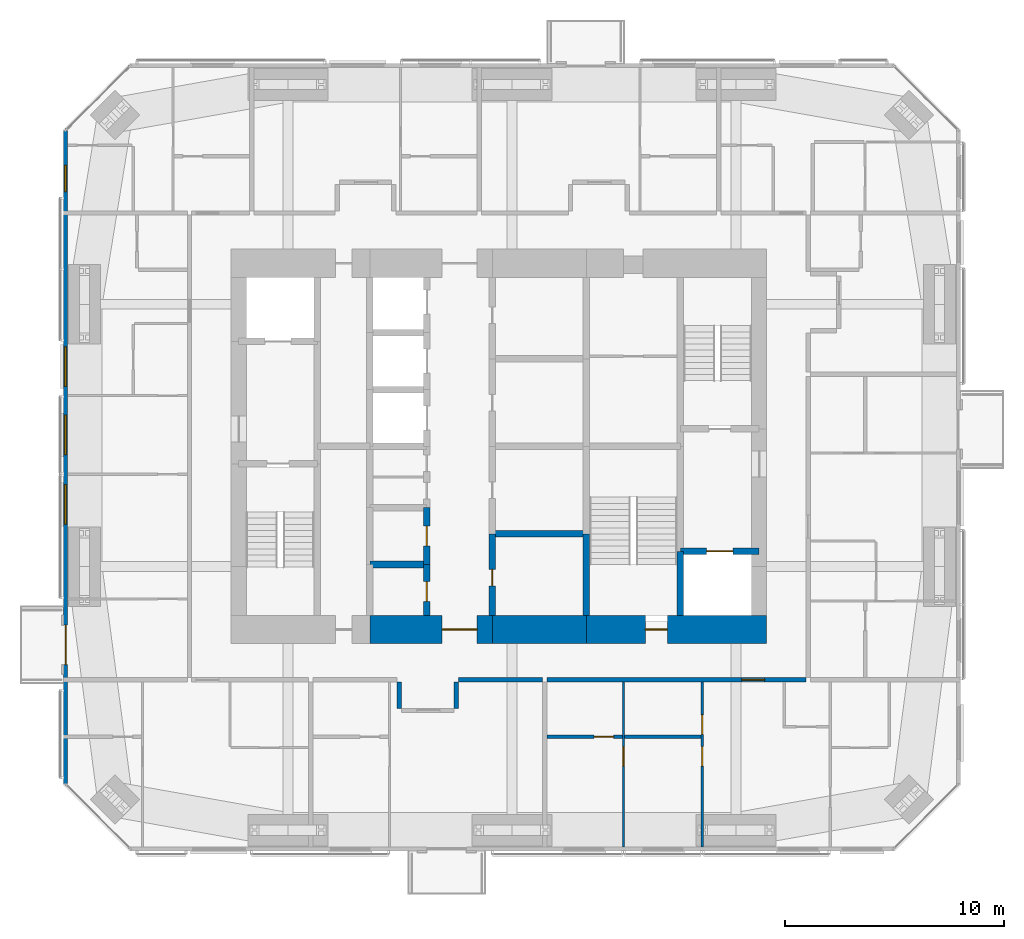
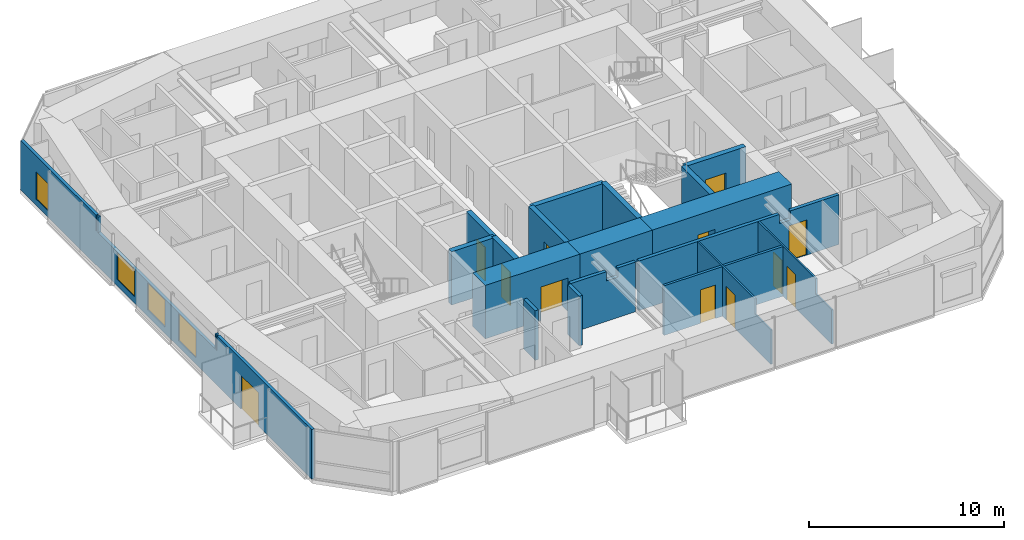
# One storey, part 17 of 23: 20 walls, 12 doors, 4 windows, 16 openings.
"""IFC4 building model written with IfcOpenShell, lengths in metres."""

from ifc_helpers import new_model, si_unit, direction, frame, frame_2d, origin, place, context, subcontext, project, spatial, polyline, rectangle, outline, extrude, material, layer, layer_set, constituent, constituent_set, type_object, element, fill, save


model = new_model("IFC4")

# Units and contexts
model_context = context("Model", 3, precision=1e-05, world=origin(), true_north=direction((0.0, 1.0)))
body_context = subcontext(model_context, "Body", "Model", "MODEL_VIEW")
ifc_project = project(units=[si_unit("LENGTHUNIT", "METRE"), si_unit("AREAUNIT", "SQUARE_METRE"), si_unit("VOLUMEUNIT", "CUBIC_METRE"), si_unit("PLANEANGLEUNIT", "RADIAN"), si_unit("MASSUNIT", "GRAM", prefix="KILO")], contexts=[model_context])

# Site, building, storey
site_placement = place(None, origin())
site = spatial("IfcSite", under=ifc_project, at=site_placement, CompositionType="ELEMENT")
building_placement = place(site_placement, origin())
building = spatial("IfcBuilding", under=site, at=building_placement, Name="Jalousie Tower", CompositionType="ELEMENT")
storey_placement = place(building_placement, frame((0.0, 0.0, 187.85009765625)))
storey = spatial("IfcBuildingStorey", under=building, at=storey_placement, Name="L51", CompositionType="ELEMENT", Elevation=187.85009765625)

# Wall, opening, door
ifc_material_1 = material(Name="Concrete block ASTM C90", Category="concrete")
ifc_constituent_1 = constituent(ifc_material_1, Name="Body")
ifc_material_2 = material(Name="Render")
ifc_constituent_2 = constituent(ifc_material_2, Name="Finish")
ifc_constituent_set_1 = constituent_set(constituents=[ifc_constituent_1, ifc_constituent_2])
wall_type_1 = type_object("IfcWallType", Name="BATHROOM WALL 150", PredefinedType="PLUMBINGWALL", material=ifc_constituent_set_1)
wall_1_placement = place(storey_placement, frame((34.10009765625, 5.22509765625, 0.0), z_axis=(0.0, 0.0, 1.0), x_axis=(1.0, 0.0, 0.0)))
wall_1 = element("IfcWall", 1, at=wall_1_placement, inside=storey, type_object=wall_type_1, Name="Bathroom Wall 150 L51", PredefinedType="PLUMBINGWALL", context=body_context, shape_type="SweptSolid", body=[
    extrude(rectangle(XDim=3.449951171875, YDim=0.14990234375, at=frame_2d((1.72509765625, 0.0))), origin(), (0.0, 0.0, 1.0), 3.10986328125),
])
opening_1_placement = place(wall_1_placement, frame((2.14990234375, 0.0, 0.0)))
opening_1 = element("IfcOpeningElement", 2, at=opening_1_placement, cuts=wall_1, Name="Opening D3", PredefinedType="OPENING", context=body_context, shape_type="SweptSolid", body=[
    extrude(rectangle(XDim=0.89990234375, YDim=2.10009765625, at=frame_2d((0.449951171875, 1.050048828125))), frame((0.0, 0.0849609375, 0.0), z_axis=(0.0, -1.0, 0.0), x_axis=(1.0, 0.0, 0.0)), (0.0, 0.0, 1.0), 0.169921875),
])
ifc_material_3 = material(Name="Timber door", Category="wood")
door_type_1 = type_object("IfcDoorType", Name="BATHROOM DOOR 900", OperationType="SINGLE_SWING_LEFT", PredefinedType="DOOR", material=ifc_material_3)
door_1_placement = place(opening_1_placement, origin())
door_1 = element("IfcDoor", 3, at=door_1_placement, inside=storey, type_object=door_type_1, Name="Apartment 5103 bedroom 1 bathroom door", OperationType="SINGLE_SWING_RIGHT", OverallHeight=2.10009765625, OverallWidth=0.89990234375, PredefinedType="DOOR", context=body_context, shape_type="SweptSolid", body=[
    extrude(rectangle(XDim=0.89990234375, YDim=2.10009765625, at=frame_2d((0.449951171875, 1.050048828125))), frame((0.0, 0.02490234375, 0.0), z_axis=(0.0, -1.0, 0.0), x_axis=(1.0, 0.0, 0.0)), (0.0, 0.0, 1.0), 0.050048828125),
])
fill(opening_1, door_1)

# Wall
wall_2_placement = place(storey_placement, frame((37.64990234375, 5.22509765625, 0.0), z_axis=(0.0, 0.0, 1.0), x_axis=(1.0, 0.0, 0.0)))
element("IfcWall", 4, at=wall_2_placement, inside=storey, type_object=wall_type_1, Name="Bathroom Wall 150 L51", PredefinedType="PLUMBINGWALL", context=body_context, shape_type="SweptSolid", body=[
    extrude(rectangle(XDim=3.5, YDim=0.14990234375, at=frame_2d((1.75, 0.0))), origin(), (0.0, 0.0, 1.0), 3.10986328125),
])

# Wall, opening, door
ifc_material_4 = material(Name="Concrete f'c 120 MPa", Category="concrete")
ifc_layer_1 = layer(ifc_material_4, 1.300048828125)
ifc_layer_set_1 = layer_set([ifc_layer_1], Name="Concrete f'c 120 MPa")
wall_type_2 = type_object("IfcWallType", Name="CORE WALL 1300", PredefinedType="SHEAR", material=ifc_layer_set_1)
wall_3_placement = place(storey_placement, frame((26.0, 10.125, 0.0), z_axis=(0.0, 0.0, 1.0), x_axis=(1.0, 0.0, 0.0)))
wall_3 = element("IfcWall", 5, at=wall_3_placement, inside=storey, type_object=wall_type_2, Name="Core wall SB L51", PredefinedType="SHEAR", context=body_context, shape_type="SweptSolid", body=[
    extrude(rectangle(XDim=5.60009765625, YDim=1.300048828125, at=frame_2d((2.800048828125, 0.0))), origin(), (0.0, 0.0, 1.0), 3.349853515625),
])
opening_2_placement = place(wall_3_placement, frame((3.300048828125, 0.0, 0.0)))
opening_2 = element("IfcOpeningElement", 6, at=opening_2_placement, cuts=wall_3, Name="Opening D15", PredefinedType="OPENING", context=body_context, shape_type="SweptSolid", body=[
    extrude(rectangle(XDim=1.60009765625, YDim=2.10009765625, at=frame_2d((0.800048828125, 1.050048828125))), frame((0.0, 0.659912109375, 0.0), z_axis=(0.0, -1.0, 0.0), x_axis=(1.0, 0.0, 0.0)), (0.0, 0.0, 1.0), 1.320068359375),
])
ifc_material_5 = material(Name="Steel fire door", Category="steel")
door_type_2 = type_object("IfcDoorType", Name="LIFT LOBBY DOOR 1600", OperationType="DOUBLE_DOOR_SINGLE_SWING", PredefinedType="DOOR", material=ifc_material_5)
door_2_placement = place(opening_2_placement, origin())
door_2 = element("IfcDoor", 7, at=door_2_placement, inside=storey, type_object=door_type_2, Name="Lift lobby south door", OperationType="DOUBLE_DOOR_SINGLE_SWING", OverallHeight=2.10009765625, OverallWidth=1.60009765625, PredefinedType="DOOR", context=body_context, shape_type="SweptSolid", body=[
    extrude(rectangle(XDim=1.60009765625, YDim=2.10009765625, at=frame_2d((0.800048828125, 1.050048828125))), frame((0.0, 0.02490234375, 0.0), z_axis=(0.0, -1.0, 0.0), x_axis=(1.0, 0.0, 0.0)), (0.0, 0.0, 1.0), 0.050048828125),
])
fill(opening_2, door_2)

# Wall
wall_4_placement = place(storey_placement, frame((31.60009765625, 10.125, 0.0), z_axis=(0.0, 0.0, 1.0), x_axis=(1.0, 0.0, 0.0)))
element("IfcWall", 8, at=wall_4_placement, inside=storey, type_object=wall_type_2, Name="Core wall SC L51", PredefinedType="SHEAR", context=body_context, shape_type="SweptSolid", body=[
    extrude(rectangle(XDim=4.2998046875, YDim=1.300048828125, at=frame_2d((2.14990234375, 0.0))), origin(), (0.0, 0.0, 1.0), 3.349853515625),
])

# Wall, opening, door
wall_5_placement = place(storey_placement, frame((35.89990234375, 10.125, 0.0), z_axis=(0.0, 0.0, 1.0), x_axis=(1.0, 0.0, 0.0)))
wall_5 = element("IfcWall", 9, at=wall_5_placement, inside=storey, type_object=wall_type_2, Name="Core wall SD L51", PredefinedType="SHEAR", context=body_context, shape_type="SweptSolid", body=[
    extrude(rectangle(XDim=8.25, YDim=1.300048828125, at=frame_2d((4.125, 0.0))), origin(), (0.0, 0.0, 1.0), 3.349853515625),
])
opening_3_placement = place(wall_5_placement, frame((2.699951171875, 0.0, 0.0)))
opening_3 = element("IfcOpeningElement", 10, at=opening_3_placement, cuts=wall_5, Name="Opening D10", PredefinedType="OPENING", context=body_context, shape_type="SweptSolid", body=[
    extrude(rectangle(XDim=1.0, YDim=2.10009765625, at=frame_2d((0.5, 1.050048828125))), frame((0.0, 0.659912109375, 0.0), z_axis=(0.0, -1.0, 0.0), x_axis=(1.0, 0.0, 0.0)), (0.0, 0.0, 1.0), 1.320068359375),
])
ifc_material_6 = material(Name="Steel fire door", Category="steel")
door_type_3 = type_object("IfcDoorType", Name="STAIR DOOR 1000", OperationType="SINGLE_SWING_LEFT", PredefinedType="DOOR", material=ifc_material_6)
door_3_placement = place(opening_3_placement, origin())
door_3 = element("IfcDoor", 11, at=door_3_placement, inside=storey, type_object=door_type_3, Name="Exit stair C door", OperationType="SINGLE_SWING_RIGHT", OverallHeight=2.10009765625, OverallWidth=1.0, PredefinedType="DOOR", context=body_context, shape_type="SweptSolid", body=[
    extrude(rectangle(XDim=1.0, YDim=2.10009765625, at=frame_2d((0.5, 1.050048828125))), frame((0.0, 0.02490234375, 0.0), z_axis=(0.0, -1.0, 0.0), x_axis=(1.0, 0.0, 0.0)), (0.0, 0.0, 1.0), 0.050048828125),
])
fill(opening_3, door_3)

ifc_material_7 = material(Name="Concrete f'c 120 MPa", Category="concrete")
ifc_layer_2 = layer(ifc_material_7, 0.300048828125)
ifc_layer_set_2 = layer_set([ifc_layer_2], Name="Concrete f'c 120 MPa")
wall_type_3 = type_object("IfcWallType", Name="CORE WALL 300", PredefinedType="SHEAR", material=ifc_layer_set_2)
wall_6_placement = place(storey_placement, frame((28.60009765625, 10.77490234375, 0.0), z_axis=(0.0, 0.0, 1.0), x_axis=(0.0, 1.0, 0.0)))
wall_6 = element("IfcWall", 12, at=wall_6_placement, inside=storey, type_object=wall_type_3, Name="Core wall X28.6A L51", PredefinedType="SHEAR", context=body_context, shape_type="SweptSolid", body=[
    extrude(rectangle(XDim=2.3251953125, YDim=0.300048828125, at=frame_2d((1.16259765625, 0.0))), origin(), (0.0, 0.0, 1.0), 3.349853515625),
])
opening_4_placement = place(wall_6_placement, frame((0.637451171875, 0.0, 0.0)))
opening_4 = element("IfcOpeningElement", 13, at=opening_4_placement, cuts=wall_6, Name="Opening D24", PredefinedType="OPENING", context=body_context, shape_type="SweptSolid", body=[
    extrude(rectangle(XDim=0.89990234375, YDim=2.10009765625, at=frame_2d((0.449951171875, 1.050048828125))), frame((0.0, 0.159912109375, 0.0), z_axis=(0.0, -1.0, 0.0), x_axis=(1.0, 0.0, 0.0)), (0.0, 0.0, 1.0), 0.320068359375),
])
ifc_material_8 = material(Name="Steel fire door", Category="steel")
door_type_4 = type_object("IfcDoorType", Name="CORE ROOM DOOR 900", OperationType="SINGLE_SWING_LEFT", PredefinedType="DOOR", material=ifc_material_8)
door_4_placement = place(opening_4_placement, origin())
door_4 = element("IfcDoor", 14, at=door_4_placement, inside=storey, type_object=door_type_4, Name="IT room door", OperationType="SINGLE_SWING_RIGHT", OverallHeight=2.10009765625, OverallWidth=0.89990234375, PredefinedType="DOOR", context=body_context, shape_type="SweptSolid", body=[
    extrude(rectangle(XDim=0.89990234375, YDim=2.10009765625, at=frame_2d((0.449951171875, 1.050048828125))), frame((0.0, 0.02490234375, 0.0), z_axis=(0.0, -1.0, 0.0), x_axis=(1.0, 0.0, 0.0)), (0.0, 0.0, 1.0), 0.050048828125),
])
fill(opening_4, door_4)

wall_7_placement = place(storey_placement, frame((28.60009765625, 13.10009765625, 0.0), z_axis=(0.0, 0.0, 1.0), x_axis=(0.0, 1.0, 0.0)))
wall_7 = element("IfcWall", 15, at=wall_7_placement, inside=storey, type_object=wall_type_3, Name="Core wall X28.6B L51", PredefinedType="SHEAR", context=body_context, shape_type="SweptSolid", body=[
    extrude(rectangle(XDim=2.599853515625, YDim=0.300048828125, at=frame_2d((1.2998046875, 0.0))), origin(), (0.0, 0.0, 1.0), 3.349853515625),
])
opening_5_placement = place(wall_7_placement, frame((0.85009765625, 0.0, 0.0)))
opening_5 = element("IfcOpeningElement", 16, at=opening_5_placement, cuts=wall_7, Name="Opening D24", PredefinedType="OPENING", context=body_context, shape_type="SweptSolid", body=[
    extrude(rectangle(XDim=0.89990234375, YDim=2.10009765625, at=frame_2d((0.449951171875, 1.050048828125))), frame((0.0, 0.159912109375, 0.0), z_axis=(0.0, -1.0, 0.0), x_axis=(1.0, 0.0, 0.0)), (0.0, 0.0, 1.0), 0.320068359375),
])
door_5_placement = place(opening_5_placement, origin())
door_5 = element("IfcDoor", 17, at=door_5_placement, inside=storey, type_object=door_type_4, Name="Linen store door", OperationType="SINGLE_SWING_RIGHT", OverallHeight=2.10009765625, OverallWidth=0.89990234375, PredefinedType="DOOR", context=body_context, shape_type="SweptSolid", body=[
    extrude(rectangle(XDim=0.89990234375, YDim=2.10009765625, at=frame_2d((0.449951171875, 1.050048828125))), frame((0.0, 0.02490234375, 0.0), z_axis=(0.0, -1.0, 0.0), x_axis=(1.0, 0.0, 0.0)), (0.0, 0.0, 1.0), 0.050048828125),
])
fill(opening_5, door_5)

wall_8_placement = place(storey_placement, frame((31.60009765625, 10.77490234375, 0.0), z_axis=(0.0, 0.0, 1.0), x_axis=(0.0, 1.0, 0.0)))
wall_8 = element("IfcWall", 18, at=wall_8_placement, inside=storey, type_object=wall_type_3, Name="Core wall X31.6A L51", PredefinedType="SHEAR", context=body_context, shape_type="SweptSolid", body=[
    extrude(rectangle(XDim=3.72509765625, YDim=0.300048828125, at=frame_2d((1.862548828125, 0.0))), origin(), (0.0, 0.0, 1.0), 3.349853515625),
])
opening_6_placement = place(wall_8_placement, frame((1.35009765625, 0.0, 0.0)))
opening_6 = element("IfcOpeningElement", 19, at=opening_6_placement, cuts=wall_8, Name="Opening D16", PredefinedType="OPENING", context=body_context, shape_type="SweptSolid", body=[
    extrude(rectangle(XDim=0.75, YDim=2.10009765625, at=frame_2d((0.375, 1.050048828125))), frame((0.0, 0.159912109375, 0.0), z_axis=(0.0, -1.0, 0.0), x_axis=(1.0, 0.0, 0.0)), (0.0, 0.0, 1.0), 0.320068359375),
])
ifc_material_9 = material(Name="Steel fire door", Category="steel")
door_type_5 = type_object("IfcDoorType", Name="RISER DOOR 750", OperationType="SINGLE_SWING_LEFT", PredefinedType="DOOR", material=ifc_material_9)
door_6_placement = place(opening_6_placement, frame((0.75, 0.0, 0.0), z_axis=(0.0, 0.0, 1.0), x_axis=(-1.0, 0.0, 0.0)))
door_6 = element("IfcDoor", 20, at=door_6_placement, inside=storey, type_object=door_type_5, Name="Refuse Room door", OperationType="SINGLE_SWING_RIGHT", OverallHeight=2.10009765625, OverallWidth=0.75, PredefinedType="DOOR", context=body_context, shape_type="SweptSolid", body=[
    extrude(rectangle(XDim=0.75, YDim=2.10009765625, at=frame_2d((0.375, 1.050048828125))), frame((0.0, 0.02490234375, 0.0), z_axis=(0.0, -1.0, 0.0), x_axis=(1.0, 0.0, 0.0)), (0.0, 0.0, 1.0), 0.050048828125),
])
fill(opening_6, door_6)

# Walls
wall_9_placement = place(storey_placement, frame((35.89990234375, 10.77490234375, 0.0), z_axis=(0.0, 0.0, 1.0), x_axis=(0.0, 1.0, 0.0)))
element("IfcWall", 21, at=wall_9_placement, inside=storey, type_object=wall_type_3, Name="Core wall X35.9A L51", PredefinedType="SHEAR", context=body_context, shape_type="SweptSolid", body=[
    extrude(rectangle(XDim=3.72509765625, YDim=0.300048828125, at=frame_2d((1.862548828125, 0.0))), origin(), (0.0, 0.0, 1.0), 3.349853515625),
])
wall_10_placement = place(storey_placement, frame((40.199951171875, 10.77490234375, 0.0), z_axis=(0.0, 0.0, 1.0), x_axis=(0.0, 1.0, 0.0)))
element("IfcWall", 22, at=wall_10_placement, inside=storey, type_object=wall_type_3, Name="Core wall X40.2A L51", PredefinedType="SHEAR", context=body_context, shape_type="SweptSolid", body=[
    extrude(rectangle(XDim=2.925048828125, YDim=0.300048828125, at=frame_2d((1.46240234375, 0.0))), origin(), (0.0, 0.0, 1.0), 3.349853515625),
])
wall_11_placement = place(storey_placement, frame((26.0, 13.10009765625, 0.0), z_axis=(0.0, 0.0, 1.0), x_axis=(1.0, 0.0, 0.0)))
element("IfcWall", 23, at=wall_11_placement, inside=storey, type_object=wall_type_3, Name="Core wall Y26-13.1 L51", PredefinedType="SHEAR", context=body_context, shape_type="SweptSolid", body=[
    extrude(rectangle(XDim=2.60009765625, YDim=0.300048828125, at=frame_2d((1.300048828125, 0.0))), origin(), (0.0, 0.0, 1.0), 3.349853515625),
])
wall_12_placement = place(storey_placement, frame((31.60009765625, 14.5, 0.0), z_axis=(0.0, 0.0, 1.0), x_axis=(1.0, 0.0, 0.0)))
element("IfcWall", 24, at=wall_12_placement, inside=storey, type_object=wall_type_3, Name="Core wall Y31.6-14.5 L51", PredefinedType="SHEAR", context=body_context, shape_type="SweptSolid", body=[
    extrude(rectangle(XDim=4.2998046875, YDim=0.300048828125, at=frame_2d((2.14990234375, 0.0))), origin(), (0.0, 0.0, 1.0), 3.349853515625),
])

# Wall, opening, door
wall_13_placement = place(storey_placement, frame((40.199951171875, 13.699951171875, 0.0), z_axis=(0.0, 0.0, 1.0), x_axis=(1.0, 0.0, 0.0)))
wall_13 = element("IfcWall", 25, at=wall_13_placement, inside=storey, type_object=wall_type_3, Name="Core wall Y40.2-13.7 L51", PredefinedType="SHEAR", context=body_context, shape_type="SweptSolid", body=[
    extrude(rectangle(XDim=3.60009765625, YDim=0.300048828125, at=frame_2d((1.800048828125, 0.0))), origin(), (0.0, 0.0, 1.0), 3.349853515625),
])
opening_7_placement = place(wall_13_placement, frame((1.199951171875, 0.0, 0.0)))
opening_7 = element("IfcOpeningElement", 26, at=opening_7_placement, cuts=wall_13, Name="Opening LD2", PredefinedType="OPENING", context=body_context, shape_type="SweptSolid", body=[
    extrude(rectangle(XDim=1.199951171875, YDim=2.10009765625, at=frame_2d((0.60009765625, 1.050048828125))), frame((0.0, 0.159912109375, 0.0), z_axis=(0.0, -1.0, 0.0), x_axis=(1.0, 0.0, 0.0)), (0.0, 0.0, 1.0), 0.320068359375),
])
ifc_material_10 = material(Name="Steel lift landing door", Category="steel")
door_type_6 = type_object("IfcDoorType", Name="LIFT LANDING DOOR 1200", OperationType="SLIDING_TO_LEFT", PredefinedType="DOOR", material=ifc_material_10)
door_7_placement = place(opening_7_placement, origin())
door_7 = element("IfcDoor", 27, at=door_7_placement, inside=storey, type_object=door_type_6, Name="Lift F2 landing door", OperationType="SLIDING_TO_LEFT", OverallHeight=2.10009765625, OverallWidth=1.199951171875, PredefinedType="DOOR", context=body_context, shape_type="SweptSolid", body=[
    extrude(rectangle(XDim=1.199951171875, YDim=2.10009765625, at=frame_2d((0.60009765625, 1.050048828125))), frame((0.0, 0.02490234375, 0.0), z_axis=(0.0, -1.0, 0.0), x_axis=(1.0, 0.0, 0.0)), (0.0, 0.0, 1.0), 0.050048828125),
])
fill(opening_7, door_7)

ifc_material_11 = material(Name="Concrete block ASTM C90", Category="concrete")
ifc_constituent_3 = constituent(ifc_material_11, Name="Body")
ifc_material_12 = material(Name="Render")
ifc_constituent_4 = constituent(ifc_material_12, Name="Finish")
ifc_constituent_set_2 = constituent_set(constituents=[ifc_constituent_3, ifc_constituent_4])
wall_type_4 = type_object("IfcWallType", Name="CORRIDOR WALL 200", PredefinedType="PARTITIONING", material=ifc_constituent_set_2)
wall_14_placement = place(storey_placement, frame((34.10009765625, 7.824951171875, 0.0), z_axis=(0.0, 0.0, 1.0), x_axis=(1.0, 0.0, 0.0)))
wall_14 = element("IfcWall", 28, at=wall_14_placement, inside=storey, type_object=wall_type_4, Name="Corridor Wall 200 L51", PredefinedType="PARTITIONING", context=body_context, shape_type="SweptSolid", body=[
    extrude(outline(polyline([(0.0, 0.0), (11.849853515625, 0.0), (11.85009765625, 3.10986328125), (8.9873046875, 3.10986328125), (8.9873046875, 2.541015625), (8.3125, 2.541015625), (8.3125, 3.10986328125), (0.0, 3.10986328125), (0.0, 0.0)])), frame((0.0, 0.10009765625, 0.0), z_axis=(0.0, -1.0, 0.0), x_axis=(1.0, 0.0, 0.0)), (0.0, 0.0, 1.0), 0.199951171875),
])
opening_8_placement = place(wall_14_placement, frame((8.89990234375, 0.0, 0.0)))
opening_8 = element("IfcOpeningElement", 29, at=opening_8_placement, cuts=wall_14, Name="Opening D1", PredefinedType="OPENING", context=body_context, shape_type="SweptSolid", body=[
    extrude(rectangle(XDim=1.050048828125, YDim=2.199951171875, at=frame_2d((0.52490234375, 1.10009765625))), frame((0.0, 0.10986328125, 0.0), z_axis=(0.0, -1.0, 0.0), x_axis=(1.0, 0.0, 0.0)), (0.0, 0.0, 1.0), 0.219970703125),
])
ifc_material_13 = material(Name="Timber fire door", Category="wood")
door_type_7 = type_object("IfcDoorType", Name="APARTMENT ENTRANCE DOOR 1050", OperationType="SINGLE_SWING_LEFT", PredefinedType="DOOR", material=ifc_material_13)
door_8_placement = place(opening_8_placement, frame((1.050048828125, 0.0, 0.0), z_axis=(0.0, 0.0, 1.0), x_axis=(-1.0, 0.0, 0.0)))
door_8 = element("IfcDoor", 30, at=door_8_placement, inside=storey, type_object=door_type_7, Name="Apartment 5103 entrance", OperationType="SINGLE_SWING_LEFT", OverallHeight=2.199951171875, OverallWidth=1.050048828125, PredefinedType="DOOR", context=body_context, shape_type="SweptSolid", body=[
    extrude(rectangle(XDim=1.050048828125, YDim=2.199951171875, at=frame_2d((0.52490234375, 1.10009765625))), frame((0.0, 0.02490234375, 0.0), z_axis=(0.0, -1.0, 0.0), x_axis=(1.0, 0.0, 0.0)), (0.0, 0.0, 1.0), 0.050048828125),
])
fill(opening_8, door_8)

# Walls
wall_15_placement = place(storey_placement, frame((30.050048828125, 7.824951171875, 0.0), z_axis=(0.0, 0.0, 1.0), x_axis=(1.0, 0.0, 0.0)))
element("IfcWall", 31, at=wall_15_placement, inside=storey, type_object=wall_type_4, Name="Corridor Wall 200 L51", PredefinedType="PARTITIONING", context=body_context, shape_type="SweptSolid", body=[
    extrude(outline(polyline([(0.0, 0.0), (3.849853515625, 0.0), (3.85009765625, 3.10986328125), (2.787353515625, 3.10986328125), (2.787353515625, 2.541015625), (2.112548828125, 2.541015625), (2.112548828125, 3.10986328125), (0.0, 3.10986328125), (0.0, 0.0)])), frame((0.0, 0.10009765625, 0.0), z_axis=(0.0, -1.0, 0.0), x_axis=(1.0, 0.0, 0.0)), (0.0, 0.0, 1.0), 0.199951171875),
])
for number, where, z_axis, x_axis, name in (
    (32, (27.35009765625, 7.72509765625, 0.0), (0.0, 0.0, 1.0), (0.0, -1.0, 0.0), "Corridor Wall 200 L51"),
    (33, (29.949951171875, 7.72509765625, 0.0), (0.0, 0.0, 1.0), (0.0, -1.0, 0.0), "Corridor Wall 200 L51"),
):
    element("IfcWall", number, at=place(storey_placement, frame(where, z_axis=z_axis, x_axis=x_axis)), inside=storey, type_object=wall_type_4, Name=name, PredefinedType="PARTITIONING", context=body_context, shape_type="SweptSolid", body=[
        extrude(rectangle(XDim=1.2001953125, YDim=0.199951171875, at=frame_2d((0.60009765625, 0.0))), origin(), (0.0, 0.0, 1.0), 3.10986328125),
    ])

# Wall, openings, door, windows
ifc_material_14 = material(Name="Concrete f'c 40 MPa", Category="concrete")
ifc_constituent_5 = constituent(ifc_material_14, Name="Body")
ifc_material_15 = material(Name="Render, pastel lemon")
ifc_constituent_6 = constituent(ifc_material_15, Name="Finish")
ifc_constituent_set_3 = constituent_set(constituents=[ifc_constituent_5, ifc_constituent_6])
wall_type_5 = type_object("IfcWallType", Name="EXTERNAL WALL 175 LEMON RENDER", PredefinedType="SOLIDWALL", material=ifc_constituent_set_3)
wall_16_placement = place(storey_placement, frame((12.08740234375, 32.94873046875, 0.0), z_axis=(0.0, 0.0, 1.0), x_axis=(0.0, -1.0, 0.0)))
wall_16 = element("IfcWall", 34, at=wall_16_placement, inside=storey, type_object=wall_type_5, Name="External Wall 175 Lemon Render L51", PredefinedType="SOLIDWALL", context=body_context, shape_type="SweptSolid", body=[
    extrude(outline(polyline([(0.0, 0.0), (29.8974609375, 0.0), (29.8974609375, 3.10986328125), (20.19140625, 3.10986328125), (20.19140625, 2.14990234375), (20.050537109375, 2.14990234375), (20.050537109375, 3.10986328125), (19.94873046875, 3.10986328125), (19.94873046875, 2.14990234375), (7.94873046875, 2.14990234375), (7.94873046875, 3.10986328125), (7.823486328125, 3.10986328125), (7.823486328125, 2.14990234375), (7.729736328125, 2.14990234375), (7.729736328125, 3.10986328125), (0.0, 3.10986328125), (0.0, 0.0)])), frame((0.0, 0.08740234375, 0.0), z_axis=(0.0, -1.0, 0.0), x_axis=(1.0, 0.0, 0.0)), (0.0, 0.0, 1.0), 0.175048828125),
])
opening_9_placement = place(wall_16_placement, frame((1.5986328125, 0.0, 0.39990234375)))
opening_9 = element("IfcOpeningElement", 35, at=opening_9_placement, cuts=wall_16, Name="Opening W-COR170", PredefinedType="OPENING", context=body_context, shape_type="SweptSolid", body=[
    extrude(rectangle(XDim=1.199951171875, YDim=1.699951171875, at=frame_2d((0.60009765625, 0.85009765625))), frame((0.0, 0.097412109375, 0.0), z_axis=(0.0, -1.0, 0.0), x_axis=(1.0, 0.0, 0.0)), (0.0, 0.0, 1.0), 0.195068359375),
])
opening_10_placement = place(wall_16_placement, frame((9.898681640625, 0.0, 0.39990234375)))
opening_10 = element("IfcOpeningElement", 36, at=opening_10_placement, cuts=wall_16, Name="Opening W-BED170", PredefinedType="OPENING", context=body_context, shape_type="SweptSolid", body=[
    extrude(rectangle(XDim=1.800048828125, YDim=1.699951171875, at=frame_2d((0.89990234375, 0.85009765625))), frame((0.0, 0.097412109375, 0.0), z_axis=(0.0, -1.0, 0.0), x_axis=(1.0, 0.0, 0.0)), (0.0, 0.0, 1.0), 0.195068359375),
])
opening_11_placement = place(wall_16_placement, frame((13.023681640625, 0.0, 0.39990234375)))
opening_11 = element("IfcOpeningElement", 37, at=opening_11_placement, cuts=wall_16, Name="Opening W-BED170", PredefinedType="OPENING", context=body_context, shape_type="SweptSolid", body=[
    extrude(rectangle(XDim=1.800048828125, YDim=1.699951171875, at=frame_2d((0.89990234375, 0.85009765625))), frame((0.0, 0.097412109375, 0.0), z_axis=(0.0, -1.0, 0.0), x_axis=(1.0, 0.0, 0.0)), (0.0, 0.0, 1.0), 0.195068359375),
])
opening_12_placement = place(wall_16_placement, frame((16.201171875, 0.0, 0.39990234375)))
opening_12 = element("IfcOpeningElement", 38, at=opening_12_placement, cuts=wall_16, Name="Opening W-BED170", PredefinedType="OPENING", context=body_context, shape_type="SweptSolid", body=[
    extrude(rectangle(XDim=1.800048828125, YDim=1.699951171875, at=frame_2d((0.89990234375, 0.85009765625))), frame((0.0, 0.097412109375, 0.0), z_axis=(0.0, -1.0, 0.0), x_axis=(1.0, 0.0, 0.0)), (0.0, 0.0, 1.0), 0.195068359375),
])
opening_13_placement = place(wall_16_placement, frame((22.623779296875, 0.0, 0.0)))
opening_13 = element("IfcOpeningElement", 39, at=opening_13_placement, cuts=wall_16, Name="Opening D-BAL21", PredefinedType="OPENING", context=body_context, shape_type="SweptSolid", body=[
    extrude(rectangle(XDim=1.800048828125, YDim=2.10009765625, at=frame_2d((0.89990234375, 1.050048828125))), frame((0.0, 0.097412109375, 0.0), z_axis=(0.0, -1.0, 0.0), x_axis=(1.0, 0.0, 0.0)), (0.0, 0.0, 1.0), 0.195068359375),
])
ifc_material_16 = material(Name="Aluminium frame, impact-rated glazing", Category="aluminium")
door_type_8 = type_object("IfcDoorType", Name="BALCONY DOOR 1800x2100", OperationType="SLIDING_TO_LEFT", PredefinedType="DOOR", material=ifc_material_16)
door_9_placement = place(opening_13_placement, origin())
door_9 = element("IfcDoor", 40, at=door_9_placement, inside=storey, type_object=door_type_8, Name="Apartment 5108 bedroom 1 balcony door", OperationType="SLIDING_TO_LEFT", OverallHeight=2.10009765625, OverallWidth=1.800048828125, PredefinedType="DOOR", context=body_context, shape_type="SweptSolid", body=[
    extrude(rectangle(XDim=1.800048828125, YDim=2.10009765625, at=frame_2d((0.89990234375, 1.050048828125))), frame((0.0, 0.02490234375, 0.0), z_axis=(0.0, -1.0, 0.0), x_axis=(1.0, 0.0, 0.0)), (0.0, 0.0, 1.0), 0.050048828125),
])
fill(opening_13, door_9)
ifc_material_17 = material(Name="Aluminium frame, impact-rated glazing", Category="aluminium")
window_type_1 = type_object("IfcWindowType", Name="WINDOW BED 1800x1700", PartitioningType="SINGLE_PANEL", PredefinedType="WINDOW", material=ifc_material_17)
window_1_placement = place(opening_10_placement, origin())
window_1 = element("IfcWindow", 41, at=window_1_placement, inside=storey, type_object=window_type_1, Name="Apartment 5108 living and dining room window", OverallHeight=1.699951171875, OverallWidth=1.800048828125, PartitioningType="SINGLE_PANEL", PredefinedType="WINDOW", context=body_context, shape_type="SweptSolid", body=[
    extrude(rectangle(XDim=1.800048828125, YDim=1.699951171875, at=frame_2d((0.89990234375, 0.85009765625))), frame((0.0, 0.030029296875, 0.0), z_axis=(0.0, -1.0, 0.0), x_axis=(1.0, 0.0, 0.0)), (0.0, 0.0, 1.0), 0.06005859375),
])
fill(opening_10, window_1)
window_2_placement = place(opening_11_placement, origin())
window_2 = element("IfcWindow", 42, at=window_2_placement, inside=storey, type_object=window_type_1, Name="Apartment 5108 bedroom 3 window", OverallHeight=1.699951171875, OverallWidth=1.800048828125, PartitioningType="SINGLE_PANEL", PredefinedType="WINDOW", context=body_context, shape_type="SweptSolid", body=[
    extrude(rectangle(XDim=1.800048828125, YDim=1.699951171875, at=frame_2d((0.89990234375, 0.85009765625))), frame((0.0, 0.030029296875, 0.0), z_axis=(0.0, -1.0, 0.0), x_axis=(1.0, 0.0, 0.0)), (0.0, 0.0, 1.0), 0.06005859375),
])
fill(opening_11, window_2)
window_3_placement = place(opening_12_placement, origin())
window_3 = element("IfcWindow", 43, at=window_3_placement, inside=storey, type_object=window_type_1, Name="Apartment 5108 bedroom 2 window", OverallHeight=1.699951171875, OverallWidth=1.800048828125, PartitioningType="SINGLE_PANEL", PredefinedType="WINDOW", context=body_context, shape_type="SweptSolid", body=[
    extrude(rectangle(XDim=1.800048828125, YDim=1.699951171875, at=frame_2d((0.89990234375, 0.85009765625))), frame((0.0, 0.030029296875, 0.0), z_axis=(0.0, -1.0, 0.0), x_axis=(1.0, 0.0, 0.0)), (0.0, 0.0, 1.0), 0.06005859375),
])
fill(opening_12, window_3)
ifc_material_18 = material(Name="Aluminium frame, impact-rated glazing", Category="aluminium")
window_type_2 = type_object("IfcWindowType", Name="WINDOW COR 1200x1700", PartitioningType="SINGLE_PANEL", PredefinedType="WINDOW", material=ifc_material_18)
window_4_placement = place(opening_9_placement, origin())
window_4 = element("IfcWindow", 44, at=window_4_placement, inside=storey, type_object=window_type_2, Name="Apartment 5104 kitchen window", OverallHeight=1.699951171875, OverallWidth=1.199951171875, PartitioningType="SINGLE_PANEL", PredefinedType="WINDOW", context=body_context, shape_type="SweptSolid", body=[
    extrude(rectangle(XDim=1.199951171875, YDim=1.699951171875, at=frame_2d((0.60009765625, 0.85009765625))), frame((0.0, 0.030029296875, 0.0), z_axis=(0.0, -1.0, 0.0), x_axis=(1.0, 0.0, 0.0)), (0.0, 0.0, 1.0), 0.06005859375),
])
fill(opening_9, window_4)

# Wall, opening, door
ifc_material_19 = material(Name="Gypsum board", Category="gypsum")
ifc_constituent_7 = constituent(ifc_material_19, Name="Body")
ifc_material_20 = material(Name="Light-gauge steel studs ASTM A653 SS Grade 33", Category="steel")
ifc_constituent_8 = constituent(ifc_material_20, Name="Framing")
ifc_constituent_set_4 = constituent_set(constituents=[ifc_constituent_7, ifc_constituent_8])
wall_type_6 = type_object("IfcWallType", Name="PARTITION 100", PredefinedType="PARTITIONING", material=ifc_constituent_set_4)
wall_17_placement = place(storey_placement, frame((37.60009765625, 0.175048828125, 0.0), z_axis=(0.0, 0.0, 1.0), x_axis=(0.0, 1.0, 0.0)))
wall_17 = element("IfcWall", 45, at=wall_17_placement, inside=storey, type_object=wall_type_6, Name="Partition 100 L51", PredefinedType="PARTITIONING", context=body_context, shape_type="SweptSolid", body=[
    extrude(outline(polyline([(0.0, 0.0), (7.550048828125, 0.0), (7.550048828125, 3.10986328125), (1.635009765625, 3.10986328125), (1.635009765625, 2.14990234375), (0.0, 2.14990234375), (0.0, 3.10986328125), (0.0, 0.0)])), frame((0.0, 0.050048828125, 0.0), z_axis=(0.0, -1.0, 0.0), x_axis=(1.0, 0.0, 0.0)), (0.0, 0.0, 1.0), 0.10009765625),
])
opening_14_placement = place(wall_17_placement, frame((3.699951171875, 0.0, 0.0)))
opening_14 = element("IfcOpeningElement", 46, at=opening_14_placement, cuts=wall_17, Name="Opening D2", PredefinedType="OPENING", context=body_context, shape_type="SweptSolid", body=[
    extrude(rectangle(XDim=0.89990234375, YDim=2.10009765625, at=frame_2d((0.449951171875, 1.050048828125))), frame((0.0, 0.06005859375, 0.0), z_axis=(0.0, -1.0, 0.0), x_axis=(1.0, 0.0, 0.0)), (0.0, 0.0, 1.0), 0.1201171875),
])
ifc_material_21 = material(Name="Timber door", Category="wood")
door_type_9 = type_object("IfcDoorType", Name="BEDROOM DOOR 900", OperationType="SINGLE_SWING_LEFT", PredefinedType="DOOR", material=ifc_material_21)
door_10_placement = place(opening_14_placement, origin())
door_10 = element("IfcDoor", 47, at=door_10_placement, inside=storey, type_object=door_type_9, Name="Apartment 5103 bedroom 1 door", OperationType="SINGLE_SWING_RIGHT", OverallHeight=2.10009765625, OverallWidth=0.89990234375, PredefinedType="DOOR", context=body_context, shape_type="SweptSolid", body=[
    extrude(rectangle(XDim=0.89990234375, YDim=2.10009765625, at=frame_2d((0.449951171875, 1.050048828125))), frame((0.0, 0.02490234375, 0.0), z_axis=(0.0, -1.0, 0.0), x_axis=(1.0, 0.0, 0.0)), (0.0, 0.0, 1.0), 0.050048828125),
])
fill(opening_14, door_10)

# Wall, openings, doors
wall_18_placement = place(storey_placement, frame((41.199951171875, 0.175048828125, 0.0), z_axis=(0.0, 0.0, 1.0), x_axis=(0.0, 1.0, 0.0)))
wall_18 = element("IfcWall", 48, at=wall_18_placement, inside=storey, type_object=wall_type_6, Name="Partition 100 L51", PredefinedType="PARTITIONING", context=body_context, shape_type="SweptSolid", body=[
    extrude(outline(polyline([(0.0, 0.0), (7.550048828125, 0.0), (7.550048828125, 3.10986328125), (1.635009765625, 3.10986328125), (1.635009765625, 2.14990234375), (0.0, 2.14990234375), (0.0, 3.10986328125), (0.0, 0.0)])), frame((0.0, 0.050048828125, 0.0), z_axis=(0.0, -1.0, 0.0), x_axis=(1.0, 0.0, 0.0)), (0.0, 0.0, 1.0), 0.10009765625),
])
opening_15_placement = place(wall_18_placement, frame((3.699951171875, 0.0, 0.0)))
opening_15 = element("IfcOpeningElement", 49, at=opening_15_placement, cuts=wall_18, Name="Opening D2", PredefinedType="OPENING", context=body_context, shape_type="SweptSolid", body=[
    extrude(rectangle(XDim=0.89990234375, YDim=2.10009765625, at=frame_2d((0.449951171875, 1.050048828125))), frame((0.0, 0.06005859375, 0.0), z_axis=(0.0, -1.0, 0.0), x_axis=(1.0, 0.0, 0.0)), (0.0, 0.0, 1.0), 0.1201171875),
])
opening_16_placement = place(wall_18_placement, frame((5.14990234375, 0.0, 0.0)))
opening_16 = element("IfcOpeningElement", 50, at=opening_16_placement, cuts=wall_18, Name="Opening D7", PredefinedType="OPENING", context=body_context, shape_type="SweptSolid", body=[
    extrude(rectangle(XDim=0.89990234375, YDim=2.10009765625, at=frame_2d((0.449951171875, 1.050048828125))), frame((0.0, 0.06005859375, 0.0), z_axis=(0.0, -1.0, 0.0), x_axis=(1.0, 0.0, 0.0)), (0.0, 0.0, 1.0), 0.1201171875),
])
door_11_placement = place(opening_15_placement, frame((0.89990234375, 0.0, 0.0), z_axis=(0.0, 0.0, 1.0), x_axis=(-1.0, 0.0, 0.0)))
door_11 = element("IfcDoor", 51, at=door_11_placement, inside=storey, type_object=door_type_9, Name="Apartment 5103 bedroom 2 door", OperationType="SINGLE_SWING_LEFT", OverallHeight=2.10009765625, OverallWidth=0.89990234375, PredefinedType="DOOR", context=body_context, shape_type="SweptSolid", body=[
    extrude(rectangle(XDim=0.89990234375, YDim=2.10009765625, at=frame_2d((0.449951171875, 1.050048828125))), frame((0.0, 0.02490234375, 0.0), z_axis=(0.0, -1.0, 0.0), x_axis=(1.0, 0.0, 0.0)), (0.0, 0.0, 1.0), 0.050048828125),
])
fill(opening_15, door_11)
ifc_material_22 = material(Name="Timber door", Category="wood")
door_type_10 = type_object("IfcDoorType", Name="INTERNAL DOOR 900", OperationType="SINGLE_SWING_LEFT", PredefinedType="DOOR", material=ifc_material_22)
door_12_placement = place(opening_16_placement, origin())
door_12 = element("IfcDoor", 52, at=door_12_placement, inside=storey, type_object=door_type_10, Name="Apartment 5103 bathroom door", OperationType="SINGLE_SWING_LEFT", OverallHeight=2.10009765625, OverallWidth=0.89990234375, PredefinedType="DOOR", context=body_context, shape_type="SweptSolid", body=[
    extrude(rectangle(XDim=0.89990234375, YDim=2.10009765625, at=frame_2d((0.449951171875, 1.050048828125))), frame((0.0, 0.02490234375, 0.0), z_axis=(0.0, -1.0, 0.0), x_axis=(1.0, 0.0, 0.0)), (0.0, 0.0, 1.0), 0.050048828125),
])
fill(opening_16, door_12)

save(model, "model.ifc")
